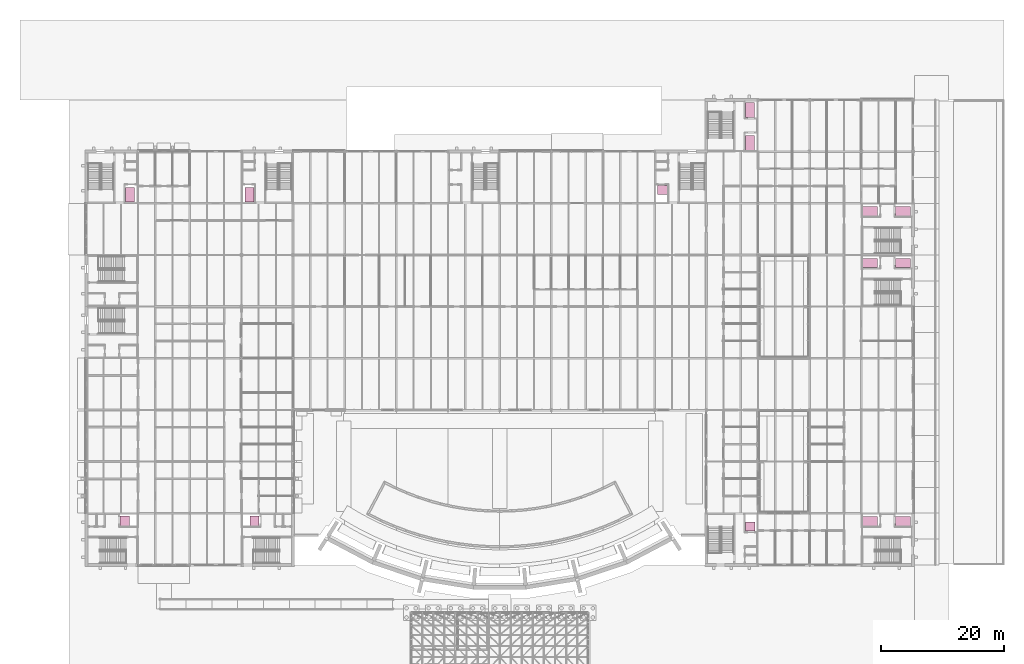
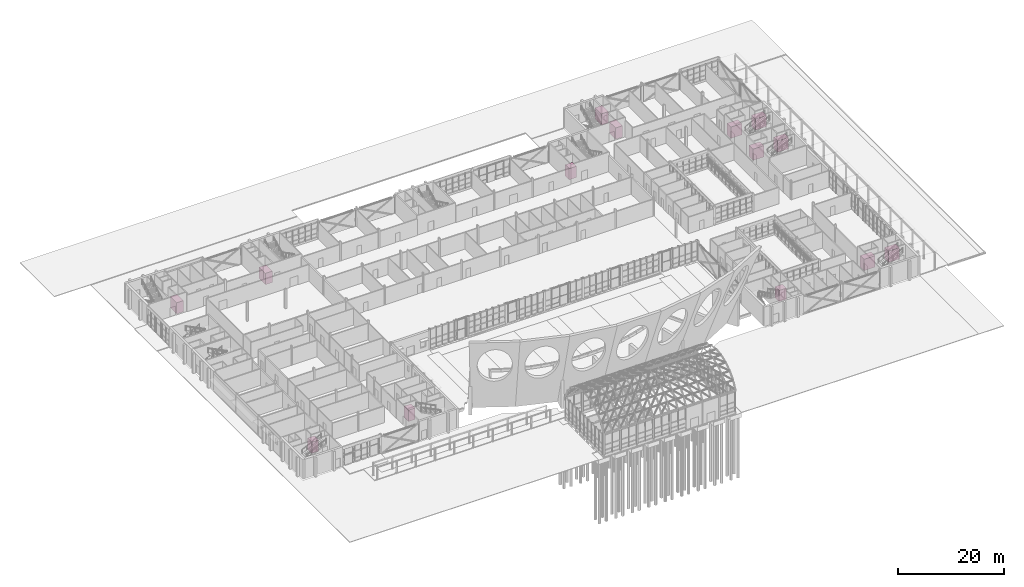
# One storey, part 116 of 116: 14 transport elements.
"""IFC4 building model written with IfcOpenShell, lengths in metres."""

from ifc_helpers import new_model, si_unit, direction, frame, origin, origin_2d, place, context, subcontext, project, spatial, rectangle, extrude, material, type_object, element, save


model = new_model("IFC4")

# Units and contexts
model_context = context("Model", 3, precision=1e-05, world=origin(), true_north=direction((0.0, 1.0)))
body_context = subcontext(model_context, "Body", "Model", "MODEL_VIEW")
ifc_project = project(units=[si_unit("LENGTHUNIT", "METRE"), si_unit("AREAUNIT", "SQUARE_METRE"), si_unit("VOLUMEUNIT", "CUBIC_METRE"), si_unit("PLANEANGLEUNIT", "RADIAN"), si_unit("MASSUNIT", "GRAM", prefix="KILO")], contexts=[model_context])

# Site, building, storey
site_placement = place(None, origin())
site = spatial("IfcSite", under=ifc_project, at=site_placement, CompositionType="ELEMENT")
building_placement = place(site_placement, origin())
building = spatial("IfcBuilding", under=site, at=building_placement, Name="Ardhachandra Cancer Care Centre", CompositionType="ELEMENT")
storey_placement = place(building_placement, origin())
storey = spatial("IfcBuildingStorey", under=building, at=storey_placement, Name="L00", CompositionType="ELEMENT", Elevation=0.0)

# Transport elements
ifc_material_1 = material(Name="Stainless steel (grade 304)", Category="steel")
transport_element_type_1 = type_object("IfcTransportElementType", Name="Bed lift 2000 kg", PredefinedType="ELEVATOR", material=ifc_material_1)
for number, where, z_axis, x_axis, name in (
    (1, (17.89990234375, 89.60009765625, 0.0), (0.0, 0.0, 1.0), (1.0, 0.0, 0.0), "Lift LF-K4-1"),
    (2, (37.300048828125, 89.60009765625, 0.0), (0.0, 0.0, 1.0), (1.0, 0.0, 0.0), "Lift LF-K5-1"),
):
    element("IfcTransportElement", number, at=place(storey_placement, frame(where, z_axis=z_axis, x_axis=x_axis)), inside=storey, type_object=transport_element_type_1, Name=name, PredefinedType="ELEVATOR", context=body_context, shape_type="SweptSolid", body=[
        extrude(rectangle(XDim=1.5, YDim=2.39990234375, at=origin_2d()), origin(), (0.0, 0.0, 1.0), 2.60009765625),
    ])
for number, where, z_axis, x_axis, name in (
    (3, (138.199951171875, 36.5, 0.0), (0.0, 0.0, 1.0), (1.0, 0.0, 0.0), "Lift LF-K9-1"),
    (4, (143.574951171875, 36.5, 0.0), (0.0, 0.0, 1.0), (1.0, 0.0, 0.0), "Lift LF-K9-2"),
    (5, (138.199951171875, 78.5, 0.0), (0.0, 0.0, 1.0), (1.0, 0.0, 0.0), "Lift LF-K10-1"),
    (6, (143.574951171875, 78.5, 0.0), (0.0, 0.0, 1.0), (1.0, 0.0, 0.0), "Lift LF-K10-2"),
):
    element("IfcTransportElement", number, at=place(storey_placement, frame(where, z_axis=z_axis, x_axis=x_axis)), inside=storey, type_object=transport_element_type_1, Name=name, PredefinedType="ELEVATOR", context=body_context, shape_type="SweptSolid", body=[
        extrude(rectangle(XDim=2.39990234375, YDim=1.5, at=origin_2d()), origin(), (0.0, 0.0, 1.0), 2.60009765625),
    ])
for number, where, z_axis, x_axis, name in (
    (7, (118.699951171875, 98.0, 0.0), (0.0, 0.0, 1.0), (1.0, 0.0, 0.0), "Lift LF-K12-1"),
    (8, (118.699951171875, 103.375, 0.0), (0.0, 0.0, 1.0), (1.0, 0.0, 0.0), "Lift LF-K12-2"),
):
    element("IfcTransportElement", number, at=place(storey_placement, frame(where, z_axis=z_axis, x_axis=x_axis)), inside=storey, type_object=transport_element_type_1, Name=name, PredefinedType="ELEVATOR", context=body_context, shape_type="SweptSolid", body=[
        extrude(rectangle(XDim=1.5, YDim=2.39990234375, at=origin_2d()), origin(), (0.0, 0.0, 1.0), 2.60009765625),
    ])
for number, where, z_axis, x_axis, name in (
    (9, (138.199951171875, 86.89990234375, 0.0), (0.0, 0.0, 1.0), (1.0, 0.0, 0.0), "Lift LF-K13-1"),
    (10, (143.574951171875, 86.89990234375, 0.0), (0.0, 0.0, 1.0), (1.0, 0.0, 0.0), "Lift LF-K13-2"),
):
    element("IfcTransportElement", number, at=place(storey_placement, frame(where, z_axis=z_axis, x_axis=x_axis)), inside=storey, type_object=transport_element_type_1, Name=name, PredefinedType="ELEVATOR", context=body_context, shape_type="SweptSolid", body=[
        extrude(rectangle(XDim=2.39990234375, YDim=1.5, at=origin_2d()), origin(), (0.0, 0.0, 1.0), 2.60009765625),
    ])
ifc_material_2 = material(Name="Stainless steel (grade 304)", Category="steel")
transport_element_type_2 = type_object("IfcTransportElementType", Name="Passenger lift 1000 kg", PredefinedType="ELEVATOR", material=ifc_material_2)
for number, where, z_axis, x_axis, name in (
    (11, (17.050048828125, 36.550048828125, 0.0), (0.0, 0.0, 1.0), (1.0, 0.0, 0.0), "Lift LF-K1-1"),
    (12, (38.14990234375, 36.550048828125, 0.0), (0.0, 0.0, 1.0), (1.0, 0.0, 0.0), "Lift LF-K2-1"),
):
    element("IfcTransportElement", number, at=place(storey_placement, frame(where, z_axis=z_axis, x_axis=x_axis)), inside=storey, type_object=transport_element_type_2, Name=name, PredefinedType="ELEVATOR", context=body_context, shape_type="SweptSolid", body=[
        extrude(rectangle(XDim=1.5, YDim=1.60009765625, at=origin_2d()), origin(), (0.0, 0.0, 1.0), 2.60009765625),
    ])
for number, where, z_axis, x_axis, name in (
    (13, (104.449951171875, 90.35009765625, 0.0), (0.0, 0.0, 1.0), (1.0, 0.0, 0.0), "Lift LF-K7-1"),
    (14, (118.75, 35.64990234375, 0.0), (0.0, 0.0, 1.0), (1.0, 0.0, 0.0), "Lift LF-K11-1"),
):
    element("IfcTransportElement", number, at=place(storey_placement, frame(where, z_axis=z_axis, x_axis=x_axis)), inside=storey, type_object=transport_element_type_2, Name=name, PredefinedType="ELEVATOR", context=body_context, shape_type="SweptSolid", body=[
        extrude(rectangle(XDim=1.60009765625, YDim=1.5, at=origin_2d()), origin(), (0.0, 0.0, 1.0), 2.60009765625),
    ])

save(model, "model.ifc")
